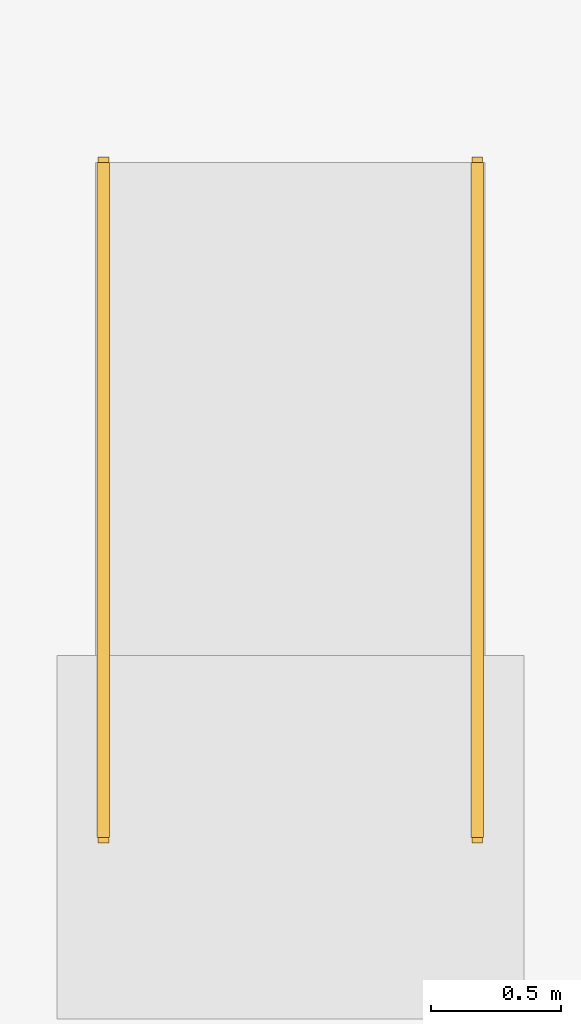
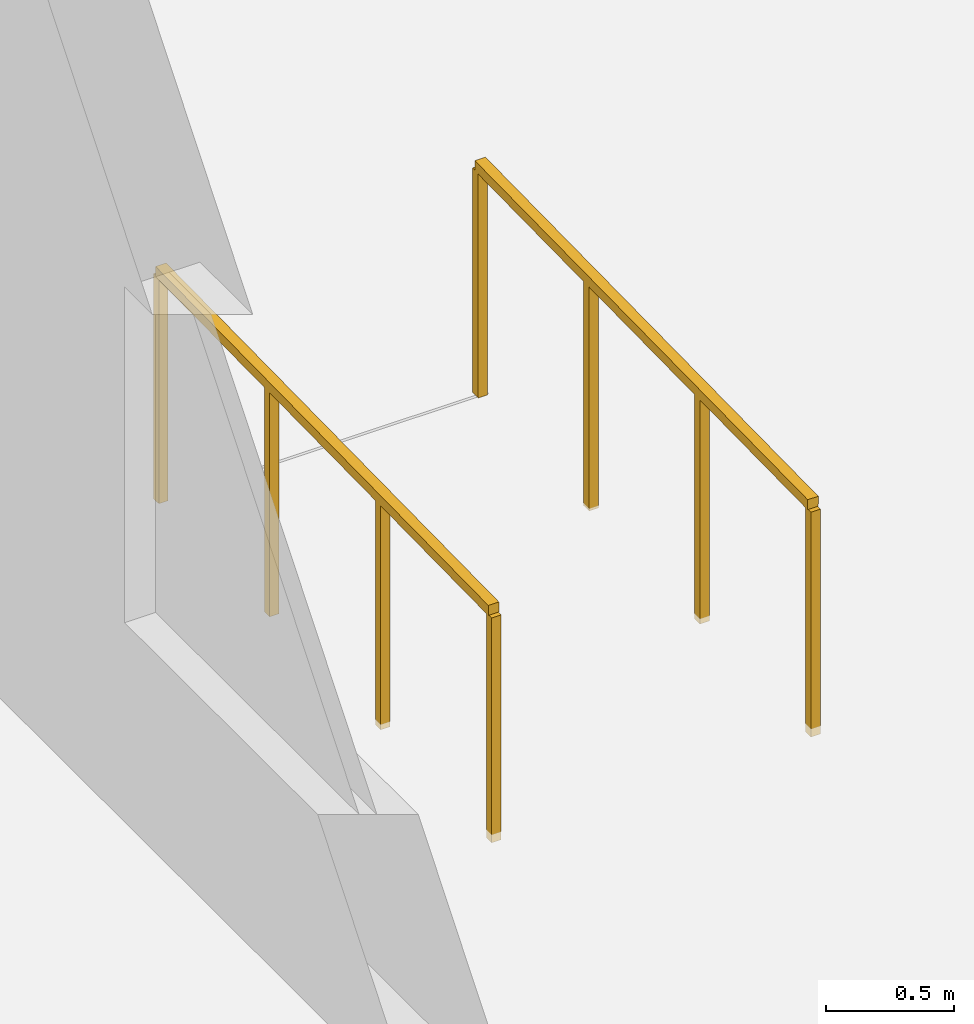
# One storey, part 28 of 29: 2 railings.
"""IFC4 building model written with IfcOpenShell, lengths in metres."""

from ifc_helpers import new_model, si_unit, direction, frame, origin, origin_2d, place, context, subcontext, project, spatial, rectangle, extrude, material, layer, layer_set, type_object, element, save


model = new_model("IFC4")

# Units and contexts
model_context = context("Model", 3, precision=1e-05, world=origin(), true_north=direction((0.0, 1.0)))
body_context = subcontext(model_context, "Body", "Model", "MODEL_VIEW")
ifc_project = project(units=[si_unit("LENGTHUNIT", "METRE"), si_unit("AREAUNIT", "SQUARE_METRE"), si_unit("VOLUMEUNIT", "CUBIC_METRE"), si_unit("PLANEANGLEUNIT", "RADIAN"), si_unit("MASSUNIT", "GRAM", prefix="KILO")], contexts=[model_context])

# Site, building, storey
site_placement = place(None, origin())
site = spatial("IfcSite", under=ifc_project, at=site_placement, CompositionType="ELEMENT")
building_placement = place(site_placement, origin())
building = spatial("IfcBuilding", under=site, at=building_placement, Name="Taldren Reach Tower", CompositionType="ELEMENT")
storey_placement = place(building_placement, origin())
storey = spatial("IfcBuildingStorey", under=building, at=storey_placement, Name="L00", CompositionType="ELEMENT", Elevation=0.0)

# Railings
ifc_material = material(Name="Steel Gr 350 (C350L0)", Category="steel")
ifc_layer = layer(ifc_material, 0.050048828125)
ifc_layer_set = layer_set([ifc_layer], Name="Steel Gr 350 (C350L0)")
railing_type = type_object("IfcRailingType", Name="RL-STAIR-GR", PredefinedType="GUARDRAIL", material=ifc_layer_set)
for number, where, name in (
    (1, (70.8798828125, 10.0, -0.0400390625), "Accessible ramp guard handrail E1-L"),
    (2, (72.320068359375, 10.0, -0.0400390625), "Accessible ramp guard handrail E1-R"),
):
    element("IfcRailing", number, at=place(storey_placement, frame(where)), inside=storey, type_object=railing_type, Name=name, PredefinedType="GUARDRAIL", context=body_context, shape_type="SweptSolid", body=[
        extrude(rectangle(XDim=0.047852, YDim=0.047852, at=origin_2d()), frame((0.0, 0.0, 1.09619140625), z_axis=(0.0, 0.999881455542, 0.01539723556), x_axis=(-1.0, 0.0, 0.0)), (0.0, 0.0, 1.0), 2.600341796875),
        extrude(rectangle(XDim=0.041992, YDim=0.041992, at=origin_2d()), origin(), (0.0, 0.0, 1.0), 1.072021484375),
        extrude(rectangle(XDim=0.041992, YDim=0.041992, at=origin_2d()), frame((0.0, 0.86669921875, 0.013427734375)), (0.0, 0.0, 1.0), 1.072021484375),
        extrude(rectangle(XDim=0.041992, YDim=0.041992, at=origin_2d()), frame((0.0, 1.7333984375, 0.026611328125)), (0.0, 0.0, 1.0), 1.072021484375),
        extrude(rectangle(XDim=0.041992, YDim=0.041992, at=origin_2d()), frame((0.0, 2.60009765625, 0.0400390625)), (0.0, 0.0, 1.0), 1.072021484375),
    ])

save(model, "model.ifc")
